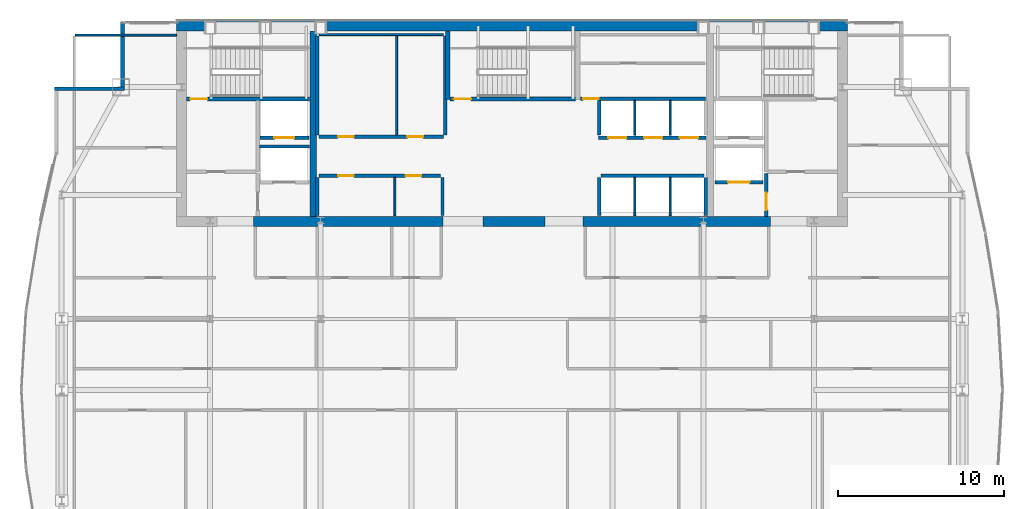
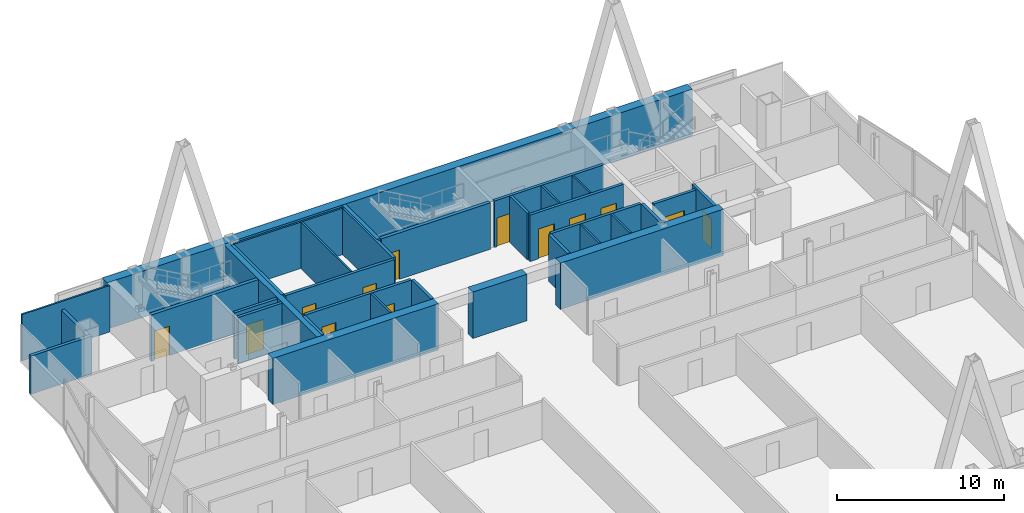
# One storey, part 28 of 31: 34 walls, 13 doors, 13 openings.
"""IFC4 building model written with IfcOpenShell, lengths in metres."""

import ifcopenshell
import ifcopenshell.guid

model = None  # the IFC model being written
_history = None  # IfcOwnerHistory: only IFC2X3 demands one
_inside = {}  # id of a spatial element -> (the spatial element, [elements in it])
_under = {}  # id of a project, library or spatial element -> (it, [spatial elements below it])
_declared = {}  # id of a project -> (the project, [libraries it declares])
_typed = {}  # id of a type object -> (the type object, [elements of that type])
_made_of = {}  # id of a material, layer set ... -> (it, [elements and type objects made of it])


def new_model(schema):
    """Start an empty IFC model of exactly this schema.

    Asked for "IFC4X3", IfcOpenShell would pick the latest addendum, in which some entities
    have other attributes; the version numbers below select the first issue.
    IFC2X3 requires an IfcOwnerHistory on every rooted entity: one is made here for all.
    """
    global model, _history
    if schema == "IFC4X3":
        model = ifcopenshell.file(schema_version=(4, 3, 0, 0))
    else:
        model = ifcopenshell.file(schema=schema)
    _inside.clear()
    _under.clear()
    _declared.clear()
    _typed.clear()
    _made_of.clear()
    _history = None
    if model.schema == "IFC2X3":
        org = make("IfcOrganization", Name="unknown")
        user = make(
            "IfcPersonAndOrganization",
            ThePerson=make("IfcPerson", FamilyName="unknown"),
            TheOrganization=org,
        )
        app = make(
            "IfcApplication",
            ApplicationDeveloper=org,
            Version="unknown",
            ApplicationFullName="unknown",
            ApplicationIdentifier="unknown",
        )
        _history = make(
            "IfcOwnerHistory",
            OwningUser=user,
            OwningApplication=app,
            ChangeAction="ADDED",
            CreationDate=0,
        )
    return model


def make(cls, **values):
    """One entity of the class cls with the attributes given. An attribute that is None is left unset."""
    return model.create_entity(
        cls, **{name: value for name, value in values.items() if value is not None}
    )


def rooted(cls, **values):
    """An entity with a GlobalId (a new one), such as an element, a storey or a relation."""
    return make(cls, GlobalId=ifcopenshell.guid.new(), OwnerHistory=_history, **values)


def si_unit(unit_type, name, prefix=None):
    """IfcSIUnit, for example si_unit("LENGTHUNIT", "METRE", prefix="MILLI")."""
    return make("IfcSIUnit", UnitType=unit_type, Prefix=prefix, Name=name)


def assignment(units):
    """IfcUnitAssignment: the units of a project."""
    return None if units is None else make("IfcUnitAssignment", Units=units)


def point(xyz):
    """IfcCartesianPoint."""
    return None if xyz is None else make("IfcCartesianPoint", Coordinates=xyz)


def direction(xyz):
    """IfcDirection."""
    return None if xyz is None else make("IfcDirection", DirectionRatios=xyz)


def frame(location, z_axis=None, x_axis=None):
    """IfcAxis2Placement3D, a coordinate frame: its origin and axes. An axis left out is left unset."""
    return make(
        "IfcAxis2Placement3D",
        Location=point(location),
        Axis=direction(z_axis),
        RefDirection=direction(x_axis),
    )


def frame_2d(location, x_axis=None):
    """IfcAxis2Placement2D, a coordinate frame in the plane: its origin and x axis."""
    return make(
        "IfcAxis2Placement2D", Location=point(location), RefDirection=direction(x_axis)
    )


def origin():
    """The frame at (0, 0, 0) with its axes left unset."""
    return frame((0.0, 0.0, 0.0))


def place(relative_to, where):
    """IfcLocalPlacement: puts the frame where relative to a parent placement (None: the world)."""
    return make(
        "IfcLocalPlacement", PlacementRelTo=relative_to, RelativePlacement=where
    )


def context(
    kind, dimensions, precision=None, world=None, true_north=None, identifier=None
):
    """IfcGeometricRepresentationContext, for example the 3D "Model" context."""
    return make(
        "IfcGeometricRepresentationContext",
        ContextIdentifier=identifier,
        ContextType=kind,
        CoordinateSpaceDimension=dimensions,
        Precision=precision,
        WorldCoordinateSystem=world,
        TrueNorth=true_north,
    )


def subcontext(parent, identifier, kind, view, scale=None):
    """IfcGeometricRepresentationSubContext, for example "Body" below "Model"."""
    return make(
        "IfcGeometricRepresentationSubContext",
        ContextIdentifier=identifier,
        ContextType=kind,
        ParentContext=parent,
        TargetScale=scale,
        TargetView=view,
    )


def project(units=None, contexts=None):
    """IfcProject with its units and contexts."""
    return rooted(
        "IfcProject",
        Name="project",
        RepresentationContexts=contexts,
        UnitsInContext=assignment(units),
    )


def spatial(cls, under=None, at=None, **own):
    """A site, building, storey or space (cls), placed at a placement, below another one or the project."""
    s = rooted(cls, ObjectPlacement=at, **own)
    if under is not None:
        _under.setdefault(under.id(), (under, []))[1].append(s)
    return s


def profile(cls, at=None, kind="AREA", **sizes):
    """A parametric profile (cls). Its sizes go by their IFC names, for example OverallWidth=200.0."""
    return make(cls, ProfileType=kind, Position=at, **sizes)


def rectangle(**sizes):
    """IfcRectangleProfileDef."""
    return profile("IfcRectangleProfileDef", **sizes)


def extrude(swept, where, along, depth):
    """IfcExtrudedAreaSolid: the profile swept, set in the frame where, extruded along a direction by depth."""
    return make(
        "IfcExtrudedAreaSolid",
        SweptArea=swept,
        Position=where,
        ExtrudedDirection=direction(along),
        Depth=depth,
    )


def shape(context_of_items, identifier, shape_type, items):
    """IfcShapeRepresentation: the items that make up one representation, for example the "Body"."""
    return make(
        "IfcShapeRepresentation",
        ContextOfItems=context_of_items,
        RepresentationIdentifier=identifier,
        RepresentationType=shape_type,
        Items=items,
    )


def material(Name=None, Category=None):
    """IfcMaterial."""
    return make("IfcMaterial", Name=Name, Category=Category)


def layer(
    of_material, thickness, ventilated=None, Name=None, Category=None, Priority=None
):
    """IfcMaterialLayer: one layer of a wall or slab, of a material (None: an air gap)."""
    return make(
        "IfcMaterialLayer",
        Material=of_material,
        LayerThickness=thickness,
        IsVentilated=ventilated,
        Name=Name,
        Category=Category,
        Priority=Priority,
    )


def layer_set(layers, Name=None):
    """IfcMaterialLayerSet."""
    return make("IfcMaterialLayerSet", MaterialLayers=layers, LayerSetName=Name)


def made_of(thing, what):
    """Note that an element or type object is made of a material, layer set ...; save() writes the relation."""
    if what is not None:
        _made_of.setdefault(what.id(), (what, []))[1].append(thing)
    return thing


def type_object(cls, material=None, **own):
    """A type object (cls), such as IfcWallType, which elements share."""
    return made_of(rooted(cls, **own), material)


def element(
    cls,
    number,
    at=None,
    inside=None,
    cuts=None,
    type_object=None,
    material=None,
    context=None,
    identifier="Body",
    shape_type=None,
    held_by="IfcProductDefinitionShape",
    body=None,
    shapes=None,
    **own,
):
    """One element of the class cls, such as IfcWall. Its Tag is "e" and its number.

    at: its placement. inside: the storey or other place that contains it. cuts: it is an
    opening in that element (IfcRelVoidsElement). A single representation is given by context,
    identifier, shape_type and body (its items); several are given by shapes. held_by: the class
    of the entity that holds the representations. save() writes the other relations.
    """
    e = rooted(cls, Tag="e%d" % number, ObjectPlacement=at, **own)
    if body is not None:
        shapes = [shape(context, identifier, shape_type, body)]
    if shapes is not None:
        e.Representation = make(held_by, Representations=shapes)
    if inside is not None:
        _inside.setdefault(inside.id(), (inside, []))[1].append(e)
    if cuts is not None:
        rooted(
            "IfcRelVoidsElement", RelatingBuildingElement=cuts, RelatedOpeningElement=e
        )
    if type_object is not None:
        _typed.setdefault(type_object.id(), (type_object, []))[1].append(e)
    return made_of(e, material)


def fill(opening, filler):
    """IfcRelFillsElement: the door or window that sits in an opening."""
    return rooted(
        "IfcRelFillsElement",
        RelatingOpeningElement=opening,
        RelatedBuildingElement=filler,
    )


def aggregate(whole, parts):
    """IfcRelAggregates: a whole, such as a stair, and the parts it consists of."""
    return rooted("IfcRelAggregates", RelatingObject=whole, RelatedObjects=parts)


def save(model, path):
    """Write the relations noted so far, then the file.

    IfcRelAggregates (storeys below a building ...), IfcRelContainedInSpatialStructure (elements
    in a storey), IfcRelDefinesByType, IfcRelAssociatesMaterial and IfcRelDeclares: one each for
    every whole, place, type object, material and project.
    """
    for whole, parts in _under.values():
        aggregate(whole, parts)
    for where, things in _inside.values():
        rooted(
            "IfcRelContainedInSpatialStructure",
            RelatedElements=things,
            RelatingStructure=where,
        )
    for kind, things in _typed.values():
        rooted("IfcRelDefinesByType", RelatedObjects=things, RelatingType=kind)
    for what, things in _made_of.values():
        rooted("IfcRelAssociatesMaterial", RelatedObjects=things, RelatingMaterial=what)
    for by, libraries in _declared.values():
        rooted("IfcRelDeclares", RelatingContext=by, RelatedDefinitions=libraries)
    model.write(path)


model = new_model("IFC4")

# Units and contexts
model_context = context("Model", 3, precision=1e-05, world=origin(), true_north=direction((0.0, 1.0)))
body_context = subcontext(model_context, "Body", "Model", "MODEL_VIEW")
ifc_project = project(units=[si_unit("LENGTHUNIT", "METRE"), si_unit("AREAUNIT", "SQUARE_METRE"), si_unit("VOLUMEUNIT", "CUBIC_METRE"), si_unit("PLANEANGLEUNIT", "RADIAN"), si_unit("MASSUNIT", "GRAM", prefix="KILO")], contexts=[model_context])

# Site, building, storey
site_placement = place(None, origin())
site = spatial("IfcSite", under=ifc_project, at=site_placement, CompositionType="ELEMENT")
building_placement = place(site_placement, origin())
building = spatial("IfcBuilding", under=site, at=building_placement, Name="Khoronbel Lancet Exchange", CompositionType="ELEMENT")
storey_placement = place(building_placement, frame((0.0, 0.0, 261.800048828125)))
storey = spatial("IfcBuildingStorey", under=building, at=storey_placement, Name="L67", CompositionType="ELEMENT", Elevation=261.800048828125)

# Walls
ifc_material_1 = material(Name="Concrete C60/75", Category="concrete")
ifc_layer_1 = layer(ifc_material_1, 0.60009765625, Name="Concrete C60/75")
ifc_layer_set_1 = layer_set([ifc_layer_1], Name="Concrete C60/75")
wall_type_1 = type_object("IfcWallType", Name="WL-CW3", PredefinedType="SHEAR", material=ifc_layer_set_1)
wall_1_placement = place(storey_placement, frame((16.199951171875, 53.39990234375, 0.0), z_axis=(0.0, 0.0, 1.0), x_axis=(1.0, 0.0, 0.0)))
element("IfcWall", 1, at=wall_1_placement, inside=storey, type_object=wall_type_1, Name="Level L67 rear core north shear wall", PredefinedType="SHEAR", context=body_context, shape_type="SweptSolid", body=[
    extrude(rectangle(XDim=40.5, YDim=0.60009765625, at=frame_2d((20.25, 0.0))), origin(), (0.0, 0.0, 1.0), 3.39990234375),
])
wall_2_placement = place(storey_placement, frame((32.300048828125, 41.60009765625, 0.0), z_axis=(0.0, 0.0, 1.0), x_axis=(-1.0, 0.0, 0.0)))
element("IfcWall", 2, at=wall_2_placement, inside=storey, type_object=wall_type_1, Name="Level L67 rear core south shear wall pier P2", PredefinedType="SHEAR", context=body_context, shape_type="SweptSolid", body=[
    extrude(rectangle(XDim=11.449951171875, YDim=0.60009765625, at=frame_2d((5.72509765625, 0.0))), origin(), (0.0, 0.0, 1.0), 3.39990234375),
])
wall_3_placement = place(storey_placement, frame((38.449951171875, 41.60009765625, 0.0), z_axis=(0.0, 0.0, 1.0), x_axis=(-1.0, 0.0, 0.0)))
element("IfcWall", 3, at=wall_3_placement, inside=storey, type_object=wall_type_1, Name="Level L67 rear core south shear wall pier P3", PredefinedType="SHEAR", context=body_context, shape_type="SweptSolid", body=[
    extrude(rectangle(XDim=3.75, YDim=0.60009765625, at=frame_2d((1.875, 0.0))), origin(), (0.0, 0.0, 1.0), 3.39990234375),
])
wall_4_placement = place(storey_placement, frame((52.050048828125, 41.60009765625, 0.0), z_axis=(0.0, 0.0, 1.0), x_axis=(-1.0, 0.0, 0.0)))
element("IfcWall", 4, at=wall_4_placement, inside=storey, type_object=wall_type_1, Name="Level L67 rear core south shear wall pier P4", PredefinedType="SHEAR", context=body_context, shape_type="SweptSolid", body=[
    extrude(rectangle(XDim=11.300048828125, YDim=0.60009765625, at=frame_2d((5.64990234375, 0.0))), origin(), (0.0, 0.0, 1.0), 3.39990234375),
])
ifc_material_2 = material(Name="Precast concrete C40/50", Category="concrete")
ifc_layer_2 = layer(ifc_material_2, 0.25, Name="Precast concrete C40/50")
ifc_layer_set_2 = layer_set([ifc_layer_2], Name="Precast concrete C40/50")
wall_type_2 = type_object("IfcWallType", Name="WL-EXT250", PredefinedType="SOLIDWALL", material=ifc_layer_set_2)
wall_5_placement = place(storey_placement, frame((8.830078125, 49.610107421875, 0.0), z_axis=(0.0, 0.0, 1.0), x_axis=(1.0, 0.0, 0.0)))
element("IfcWall", 5, at=wall_5_placement, inside=storey, type_object=wall_type_2, Name="Level L67 notched-corner limestone pier 11", PredefinedType="SOLIDWALL", context=body_context, shape_type="SweptSolid", body=[
    extrude(rectangle(XDim=4.219970703125, YDim=0.219970703125, at=frame_2d((2.10986328125, 0.0))), origin(), (0.0, 0.0, 1.0), 2.7900390625),
])
wall_6_placement = place(storey_placement, frame((12.93994140625, 49.719970703125, 0.0), z_axis=(0.0, 0.0, 1.0), x_axis=(0.0, 1.0, 0.0)))
element("IfcWall", 6, at=wall_6_placement, inside=storey, type_object=wall_type_2, Name="Level L67 notched-corner limestone pier 12", PredefinedType="SOLIDWALL", context=body_context, shape_type="SweptSolid", body=[
    extrude(rectangle(XDim=3.909912109375, YDim=0.219970703125, at=frame_2d((1.955078125, 0.0))), origin(), (0.0, 0.0, 1.0), 2.7900390625),
])
ifc_material_3 = material(Name="Acoustic Metal-Stud & Mineral-Wool Gypsum Partition 120 mm", Category="gypsum")
ifc_layer_3 = layer(ifc_material_3, 0.1201171875, Name="Acoustic Metal-Stud & Mineral-Wool Gypsum Partition 120 mm")
ifc_layer_set_3 = layer_set([ifc_layer_3], Name="Acoustic Metal-Stud & Mineral-Wool Gypsum Partition 120 mm")
wall_type_3 = type_object("IfcWallType", Name="WL-PRT120", PredefinedType="PARTITIONING", material=ifc_layer_set_3)
wall_7_placement = place(storey_placement, frame((10.094970703125, 52.840087890625, 0.0), z_axis=(0.0, 0.0, 1.0), x_axis=(1.0, 0.0, 0.0)))
element("IfcWall", 7, at=wall_7_placement, inside=storey, type_object=wall_type_3, Name="Level L67 interior partition PW-LIN-NW", PredefinedType="PARTITIONING", context=body_context, shape_type="SweptSolid", body=[
    extrude(rectangle(XDim=6.10498046875, YDim=0.1201171875, at=frame_2d((3.052490234375, 0.0))), origin(), (0.0, 0.0, 1.0), 3.39990234375),
])
ifc_material_4 = material(Name="Fire-Rated Metal-Stud & Mineral-Wool Gypsum Partition 120 mm", Category="gypsum")
ifc_layer_4 = layer(ifc_material_4, 0.1201171875, Name="Fire-Rated Metal-Stud & Mineral-Wool Gypsum Partition 120 mm")
ifc_layer_set_4 = layer_set([ifc_layer_4], Name="Fire-Rated Metal-Stud & Mineral-Wool Gypsum Partition 120 mm")
wall_type_4 = type_object("IfcWallType", Name="WL-PRT120F", PredefinedType="PARTITIONING", material=ifc_layer_set_4)
wall_8_placement = place(storey_placement, frame((24.804931640625, 52.860107421875, 0.0), z_axis=(0.0, 0.0, 1.0), x_axis=(1.0, 0.0, 0.0)))
element("IfcWall", 8, at=wall_8_placement, inside=storey, type_object=wall_type_4, Name="Level L67 interior partition CW-PL-RN", PredefinedType="PARTITIONING", context=body_context, shape_type="SweptSolid", body=[
    extrude(rectangle(XDim=7.510009765625, YDim=0.1201171875, at=frame_2d((3.7548828125, 0.0))), origin(), (0.0, 0.0, 1.0), 3.39990234375),
])
wall_9_placement = place(storey_placement, frame((29.486328125, 46.804931640625, 0.0), z_axis=(0.0, 0.0, 1.0), x_axis=(0.0, 1.0, 0.0)))
element("IfcWall", 9, at=wall_9_placement, inside=storey, type_object=wall_type_4, Name="Level L67 interior partition CW-PL-RS2", PredefinedType="PARTITIONING", context=body_context, shape_type="SweptSolid", body=[
    extrude(rectangle(XDim=5.989990234375, YDim=0.1201171875, at=frame_2d((2.9951171875, 0.0))), origin(), (0.0, 0.0, 1.0), 3.39990234375),
])
wall_10_placement = place(storey_placement, frame((29.381103515625, 41.949951171875, 0.0), z_axis=(0.0, 0.0, 1.0), x_axis=(0.0, 1.0, 0.0)))
element("IfcWall", 10, at=wall_10_placement, inside=storey, type_object=wall_type_4, Name="Level L67 interior partition CW-PM-RS2", PredefinedType="PARTITIONING", context=body_context, shape_type="SweptSolid", body=[
    extrude(rectangle(XDim=2.295166015625, YDim=0.1201171875, at=frame_2d((1.1474609375, 0.0))), origin(), (0.0, 0.0, 1.0), 3.39990234375),
])
for number, where, z_axis, x_axis, name in (
    (11, (43.860107421875, 46.800048828125, 0.0), (0.0, 0.0, 1.0), (0.0, 1.0, 0.0), "Level L67 interior partition CW-PH-D1"),
    (12, (46.0, 46.800048828125, 0.0), (0.0, 0.0, 1.0), (0.0, 1.0, 0.0), "Level L67 interior partition CW-PH-D2"),
):
    element("IfcWall", number, at=place(storey_placement, frame(where, z_axis=z_axis, x_axis=x_axis)), inside=storey, type_object=wall_type_4, Name=name, PredefinedType="PARTITIONING", context=body_context, shape_type="SweptSolid", body=[
        extrude(rectangle(XDim=2.094970703125, YDim=0.1201171875, at=frame_2d((1.04736328125, 0.0))), origin(), (0.0, 0.0, 1.0), 3.39990234375),
    ])
for number, where, z_axis, x_axis, name in (
    (13, (43.860107421875, 41.949951171875, 0.0), (0.0, 0.0, 1.0), (0.0, 1.0, 0.0), "Level L67 interior partition CW-PX-D1"),
    (14, (46.0, 41.949951171875, 0.0), (0.0, 0.0, 1.0), (0.0, 1.0, 0.0), "Level L67 interior partition CW-PX-D2"),
):
    element("IfcWall", number, at=place(storey_placement, frame(where, z_axis=z_axis, x_axis=x_axis)), inside=storey, type_object=wall_type_4, Name=name, PredefinedType="PARTITIONING", context=body_context, shape_type="SweptSolid", body=[
        extrude(rectangle(XDim=2.295166015625, YDim=0.1201171875, at=frame_2d((1.1474609375, 0.0))), origin(), (0.0, 0.0, 1.0), 3.39990234375),
    ])

# Wall, opening, door
ifc_material_5 = material(Name="Autoclaved Aerated Concrete Blockwork 200 mm", Category="masonry")
ifc_layer_5 = layer(ifc_material_5, 0.199951171875, Name="Autoclaved Aerated Concrete Blockwork 200 mm")
ifc_layer_set_5 = layer_set([ifc_layer_5], Name="Autoclaved Aerated Concrete Blockwork 200 mm")
wall_type_5 = type_object("IfcWallType", Name="WL-PRT200", PredefinedType="PARTITIONING", material=ifc_layer_set_5)
wall_11_placement = place(storey_placement, frame((51.610107421875, 43.949951171875, 0.0), z_axis=(0.0, 0.0, 1.0), x_axis=(-1.0, 0.0, 0.0)))
wall_11 = element("IfcWall", 15, at=wall_11_placement, inside=storey, type_object=wall_type_5, Name="Level L67 elevator hoistway landing front wall SVLE", PredefinedType="PARTITIONING", context=body_context, shape_type="SweptSolid", body=[
    extrude(rectangle(XDim=2.920166015625, YDim=0.199951171875, at=frame_2d((1.4599609375, 0.0))), origin(), (0.0, 0.0, 1.0), 3.39990234375),
])
opening_1_placement = place(wall_11_placement, frame((0.81005859375, 0.0, 0.0)))
opening_1 = element("IfcOpeningElement", 16, at=opening_1_placement, cuts=wall_11, Name="Opening LD-SVL2", PredefinedType="OPENING", context=body_context, shape_type="SweptSolid", body=[
    extrude(rectangle(XDim=1.300048828125, YDim=2.179931640625, at=frame_2d((0.64990234375, 1.08984375))), frame((0.0, 0.10986328125, 0.0), z_axis=(0.0, -1.0, 0.0), x_axis=(1.0, 0.0, 0.0)), (0.0, 0.0, 1.0), 0.219970703125),
])
ifc_material_6 = material(Name="Heavy-Duty Bi-Parting Goods Lift Landing Door", Category="steel")
door_type_1 = type_object("IfcDoorType", Name="DR-LD-SVL", OperationType="NOTDEFINED", PredefinedType="DOOR", material=ifc_material_6)
door_1_placement = place(opening_1_placement, origin())
door_1 = element("IfcDoor", 17, at=door_1_placement, inside=storey, type_object=door_type_1, Name="Elevator landing sliding door LD-SVL2 L67", OperationType="SLIDING_TO_LEFT", OverallHeight=2.179931640625, OverallWidth=1.300048828125, PredefinedType="DOOR", context=body_context, shape_type="SweptSolid", body=[
    extrude(rectangle(XDim=1.300048828125, YDim=2.179931640625, at=frame_2d((0.64990234375, 1.08984375))), frame((0.0, 0.02490234375, 0.0), z_axis=(0.0, -1.0, 0.0), x_axis=(1.0, 0.0, 0.0)), (0.0, 0.0, 1.0), 0.050048828125),
])
fill(opening_1, door_1)

wall_12_placement = place(storey_placement, frame((24.2099609375, 46.64990234375, 0.0), z_axis=(0.0, 0.0, 1.0), x_axis=(-1.0, 0.0, 0.0)))
wall_12 = element("IfcWall", 18, at=wall_12_placement, inside=storey, type_object=wall_type_5, Name="Level L67 elevator hoistway landing front wall FFLW", PredefinedType="PARTITIONING", context=body_context, shape_type="SweptSolid", body=[
    extrude(rectangle(XDim=2.969970703125, YDim=0.199951171875, at=frame_2d((1.48486328125, 0.0))), origin(), (0.0, 0.0, 1.0), 3.39990234375),
])
opening_2_placement = place(wall_12_placement, frame((0.909912109375, 0.0, 0.0)))
opening_2 = element("IfcOpeningElement", 19, at=opening_2_placement, cuts=wall_12, Name="Opening LD-FFL1", PredefinedType="OPENING", context=body_context, shape_type="SweptSolid", body=[
    extrude(rectangle(XDim=1.199951171875, YDim=2.179931640625, at=frame_2d((0.60009765625, 1.08984375))), frame((0.0, 0.10986328125, 0.0), z_axis=(0.0, -1.0, 0.0), x_axis=(1.0, 0.0, 0.0)), (0.0, 0.0, 1.0), 0.219970703125),
])
ifc_material_7 = material(Name="Fire-Rated Stainless Bi-Parting Firefighting Lift Door", Category="steel")
door_type_2 = type_object("IfcDoorType", Name="DR-LD-FFL", OperationType="NOTDEFINED", PredefinedType="DOOR", material=ifc_material_7)
door_2_placement = place(opening_2_placement, origin())
door_2 = element("IfcDoor", 20, at=door_2_placement, inside=storey, type_object=door_type_2, Name="Elevator landing sliding door LD-FFL1 L67", OperationType="SLIDING_TO_LEFT", OverallHeight=2.179931640625, OverallWidth=1.199951171875, PredefinedType="DOOR", context=body_context, shape_type="SweptSolid", body=[
    extrude(rectangle(XDim=1.199951171875, YDim=2.179931640625, at=frame_2d((0.60009765625, 1.08984375))), frame((0.0, 0.02490234375, 0.0), z_axis=(0.0, -1.0, 0.0), x_axis=(1.0, 0.0, 0.0)), (0.0, 0.0, 1.0), 0.050048828125),
])
fill(opening_2, door_2)

# Wall, openings, doors
wall_13_placement = place(storey_placement, frame((48.159912109375, 46.64990234375, 0.0), z_axis=(0.0, 0.0, 1.0), x_axis=(-1.0, 0.0, 0.0)))
wall_13 = element("IfcWall", 21, at=wall_13_placement, inside=storey, type_object=wall_type_5, Name="Level L67 elevator hoistway landing front wall PHE", PredefinedType="PARTITIONING", context=body_context, shape_type="SweptSolid", body=[
    extrude(rectangle(XDim=6.47998046875, YDim=0.199951171875, at=frame_2d((3.239990234375, 0.0))), origin(), (0.0, 0.0, 1.0), 3.39990234375),
])
opening_3_placement = place(wall_13_placement, frame((4.800048828125, 0.0, 0.0)))
opening_3 = element("IfcOpeningElement", 22, at=opening_3_placement, cuts=wall_13, Name="Opening LD-PH1", PredefinedType="OPENING", context=body_context, shape_type="SweptSolid", body=[
    extrude(rectangle(XDim=1.10009765625, YDim=2.179931640625, at=frame_2d((0.550048828125, 1.08984375))), frame((0.0, 0.10986328125, 0.0), z_axis=(0.0, -1.0, 0.0), x_axis=(1.0, 0.0, 0.0)), (0.0, 0.0, 1.0), 0.219970703125),
])
opening_4_placement = place(wall_13_placement, frame((2.639892578125, 0.0, 0.0)))
opening_4 = element("IfcOpeningElement", 23, at=opening_4_placement, cuts=wall_13, Name="Opening LD-PH2", PredefinedType="OPENING", context=body_context, shape_type="SweptSolid", body=[
    extrude(rectangle(XDim=1.10009765625, YDim=2.179931640625, at=frame_2d((0.550048828125, 1.08984375))), frame((0.0, 0.10986328125, 0.0), z_axis=(0.0, -1.0, 0.0), x_axis=(1.0, 0.0, 0.0)), (0.0, 0.0, 1.0), 0.219970703125),
])
opening_5_placement = place(wall_13_placement, frame((0.47998046875, 0.0, 0.0)))
opening_5 = element("IfcOpeningElement", 24, at=opening_5_placement, cuts=wall_13, Name="Opening LD-PH3", PredefinedType="OPENING", context=body_context, shape_type="SweptSolid", body=[
    extrude(rectangle(XDim=1.10009765625, YDim=2.179931640625, at=frame_2d((0.550048828125, 1.08984375))), frame((0.0, 0.10986328125, 0.0), z_axis=(0.0, -1.0, 0.0), x_axis=(1.0, 0.0, 0.0)), (0.0, 0.0, 1.0), 0.219970703125),
])
ifc_material_8 = material(Name="Brushed Bronze Bi-Parting Elevator Landing Door", Category="steel")
door_type_3 = type_object("IfcDoorType", Name="DR-LD-PAX", OperationType="NOTDEFINED", PredefinedType="DOOR", material=ifc_material_8)
door_3_placement = place(opening_3_placement, origin())
door_3 = element("IfcDoor", 25, at=door_3_placement, inside=storey, type_object=door_type_3, Name="Elevator landing sliding door LD-PH1 L67", OperationType="SLIDING_TO_LEFT", OverallHeight=2.179931640625, OverallWidth=1.10009765625, PredefinedType="DOOR", context=body_context, shape_type="SweptSolid", body=[
    extrude(rectangle(XDim=1.10009765625, YDim=2.179931640625, at=frame_2d((0.550048828125, 1.08984375))), frame((0.0, 0.02490234375, 0.0), z_axis=(0.0, -1.0, 0.0), x_axis=(1.0, 0.0, 0.0)), (0.0, 0.0, 1.0), 0.050048828125),
])
fill(opening_3, door_3)
door_4_placement = place(opening_4_placement, origin())
door_4 = element("IfcDoor", 26, at=door_4_placement, inside=storey, type_object=door_type_3, Name="Elevator landing sliding door LD-PH2 L67", OperationType="SLIDING_TO_LEFT", OverallHeight=2.179931640625, OverallWidth=1.10009765625, PredefinedType="DOOR", context=body_context, shape_type="SweptSolid", body=[
    extrude(rectangle(XDim=1.10009765625, YDim=2.179931640625, at=frame_2d((0.550048828125, 1.08984375))), frame((0.0, 0.02490234375, 0.0), z_axis=(0.0, -1.0, 0.0), x_axis=(1.0, 0.0, 0.0)), (0.0, 0.0, 1.0), 0.050048828125),
])
fill(opening_4, door_4)
door_5_placement = place(opening_5_placement, origin())
door_5 = element("IfcDoor", 27, at=door_5_placement, inside=storey, type_object=door_type_3, Name="Elevator landing sliding door LD-PH3 L67", OperationType="SLIDING_TO_LEFT", OverallHeight=2.179931640625, OverallWidth=1.10009765625, PredefinedType="DOOR", context=body_context, shape_type="SweptSolid", body=[
    extrude(rectangle(XDim=1.10009765625, YDim=2.179931640625, at=frame_2d((0.550048828125, 1.08984375))), frame((0.0, 0.02490234375, 0.0), z_axis=(0.0, -1.0, 0.0), x_axis=(1.0, 0.0, 0.0)), (0.0, 0.0, 1.0), 0.050048828125),
])
fill(opening_5, door_5)

# Wall
wall_14_placement = place(storey_placement, frame((21.199951171875, 46.1201171875, 0.0), z_axis=(0.0, 0.0, 1.0), x_axis=(1.0, 0.0, 0.0)))
element("IfcWall", 28, at=wall_14_placement, inside=storey, type_object=wall_type_5, Name="Level L67 interior partition CW-FFL1-S", PredefinedType="PARTITIONING", context=body_context, shape_type="SweptSolid", body=[
    extrude(rectangle(XDim=3.02001953125, YDim=0.199951171875, at=frame_2d((1.510009765625, 0.0))), origin(), (0.0, 0.0, 1.0), 3.39990234375),
])

# Wall, opening, door
wall_15_placement = place(storey_placement, frame((51.800048828125, 41.89990234375, 0.0), z_axis=(0.0, 0.0, 1.0), x_axis=(0.0, 1.0, 0.0)))
wall_15 = element("IfcWall", 29, at=wall_15_placement, inside=storey, type_object=wall_type_5, Name="Level L67 interior partition CW-SVLE-E", PredefinedType="PARTITIONING", context=body_context, shape_type="SweptSolid", body=[
    extrude(rectangle(XDim=2.59521484375, YDim=0.199951171875, at=frame_2d((1.297607421875, 0.0))), origin(), (0.0, 0.0, 1.0), 3.39990234375),
])
opening_6_placement = place(wall_15_placement, frame((0.3798828125, 0.0, 0.0)))
opening_6 = element("IfcOpeningElement", 30, at=opening_6_placement, cuts=wall_15, Name="Opening FD1", PredefinedType="OPENING", context=body_context, shape_type="SweptSolid", body=[
    extrude(rectangle(XDim=1.050048828125, YDim=2.14990234375, at=frame_2d((0.52490234375, 1.074951171875))), frame((0.0, 0.10986328125, 0.0), z_axis=(0.0, -1.0, 0.0), x_axis=(1.0, 0.0, 0.0)), (0.0, 0.0, 1.0), 0.219970703125),
])
ifc_material_9 = material(Name="Fire-Rated Painted Steel Door Assembly", Category="steel")
door_type_4 = type_object("IfcDoorType", Name="DR-FD1", OperationType="NOTDEFINED", PredefinedType="DOOR", material=ifc_material_9)
door_6_placement = place(opening_6_placement, origin())
door_6 = element("IfcDoor", 31, at=door_6_placement, inside=storey, type_object=door_type_4, Name="East service lift lobby door L67-1", OperationType="SINGLE_SWING_LEFT", OverallHeight=2.14990234375, OverallWidth=1.050048828125, PredefinedType="DOOR", context=body_context, shape_type="SweptSolid", body=[
    extrude(rectangle(XDim=1.050048828125, YDim=2.14990234375, at=frame_2d((0.52490234375, 1.074951171875))), frame((0.0, 0.02490234375, 0.0), z_axis=(0.0, -1.0, 0.0), x_axis=(1.0, 0.0, 0.0)), (0.0, 0.0, 1.0), 0.050048828125),
])
fill(opening_6, door_6)

# Walls
for number, where, z_axis, x_axis, name in (
    (32, (24.699951171875, 46.804931640625, 0.0), (0.0, 0.0, 1.0), (0.0, 1.0, 0.0), "Level L67 interior partition CW-PL-RW"),
    (33, (32.419921875, 46.804931640625, 0.0), (0.0, 0.0, 1.0), (0.0, 1.0, 0.0), "Level L67 interior partition CW-PL-RE"),
):
    element("IfcWall", number, at=place(storey_placement, frame(where, z_axis=z_axis, x_axis=x_axis)), inside=storey, type_object=wall_type_5, Name=name, PredefinedType="PARTITIONING", context=body_context, shape_type="SweptSolid", body=[
        extrude(rectangle(XDim=5.989990234375, YDim=0.199951171875, at=frame_2d((2.9951171875, 0.0))), origin(), (0.0, 0.0, 1.0), 3.39990234375),
    ])

# Wall, openings, doors
wall_16_placement = place(storey_placement, frame((24.804931640625, 46.699951171875, 0.0), z_axis=(0.0, 0.0, 1.0), x_axis=(1.0, 0.0, 0.0)))
wall_16 = element("IfcWall", 34, at=wall_16_placement, inside=storey, type_object=wall_type_5, Name="Level L67 interior partition CW-PL-RF", PredefinedType="PARTITIONING", context=body_context, shape_type="SweptSolid", body=[
    extrude(rectangle(XDim=7.510009765625, YDim=0.199951171875, at=frame_2d((3.7548828125, 0.0))), origin(), (0.0, 0.0, 1.0), 3.39990234375),
])
opening_7_placement = place(wall_16_placement, frame((1.14990234375, 0.0, 0.0)))
opening_7 = element("IfcOpeningElement", 35, at=opening_7_placement, cuts=wall_16, Name="Opening FD3", PredefinedType="OPENING", context=body_context, shape_type="SweptSolid", body=[
    extrude(rectangle(XDim=0.949951171875, YDim=2.10009765625, at=frame_2d((0.47509765625, 1.050048828125))), frame((0.0, 0.10986328125, 0.0), z_axis=(0.0, -1.0, 0.0), x_axis=(1.0, 0.0, 0.0)), (0.0, 0.0, 1.0), 0.219970703125),
])
opening_8_placement = place(wall_16_placement, frame((5.33642578125, 0.0, 0.0)))
opening_8 = element("IfcOpeningElement", 36, at=opening_8_placement, cuts=wall_16, Name="Opening FD3", PredefinedType="OPENING", context=body_context, shape_type="SweptSolid", body=[
    extrude(rectangle(XDim=0.949951171875, YDim=2.10009765625, at=frame_2d((0.47509765625, 1.050048828125))), frame((0.0, 0.10986328125, 0.0), z_axis=(0.0, -1.0, 0.0), x_axis=(1.0, 0.0, 0.0)), (0.0, 0.0, 1.0), 0.219970703125),
])
ifc_material_10 = material(Name="Fire-Rated Steel Plant & Riser Door Assembly", Category="steel")
door_type_5 = type_object("IfcDoorType", Name="DR-FD3", OperationType="NOTDEFINED", PredefinedType="DOOR", material=ifc_material_10)
door_7_placement = place(opening_7_placement, origin())
door_7 = element("IfcDoor", 37, at=door_7_placement, inside=storey, type_object=door_type_5, Name="Reclaimed PL C door L67-1", OperationType="SINGLE_SWING_RIGHT", OverallHeight=2.10009765625, OverallWidth=0.949951171875, PredefinedType="DOOR", context=body_context, shape_type="SweptSolid", body=[
    extrude(rectangle(XDim=0.949951171875, YDim=2.10009765625, at=frame_2d((0.47509765625, 1.050048828125))), frame((0.0, 0.02490234375, 0.0), z_axis=(0.0, -1.0, 0.0), x_axis=(1.0, 0.0, 0.0)), (0.0, 0.0, 1.0), 0.050048828125),
])
fill(opening_7, door_7)
door_8_placement = place(opening_8_placement, origin())
door_8 = element("IfcDoor", 38, at=door_8_placement, inside=storey, type_object=door_type_5, Name="Reclaimed PL D door L67-2", OperationType="SINGLE_SWING_LEFT", OverallHeight=2.10009765625, OverallWidth=0.949951171875, PredefinedType="DOOR", context=body_context, shape_type="SweptSolid", body=[
    extrude(rectangle(XDim=0.949951171875, YDim=2.10009765625, at=frame_2d((0.47509765625, 1.050048828125))), frame((0.0, 0.02490234375, 0.0), z_axis=(0.0, -1.0, 0.0), x_axis=(1.0, 0.0, 0.0)), (0.0, 0.0, 1.0), 0.050048828125),
])
fill(opening_8, door_8)

# Walls
for number, where, z_axis, x_axis, name in (
    (39, (24.699951171875, 41.949951171875, 0.0), (0.0, 0.0, 1.0), (0.0, 1.0, 0.0), "Level L67 interior partition CW-PM-RW"),
    (40, (32.25, 41.949951171875, 0.0), (0.0, 0.0, 1.0), (0.0, 1.0, 0.0), "Level L67 interior partition CW-PM-RE"),
):
    element("IfcWall", number, at=place(storey_placement, frame(where, z_axis=z_axis, x_axis=x_axis)), inside=storey, type_object=wall_type_5, Name=name, PredefinedType="PARTITIONING", context=body_context, shape_type="SweptSolid", body=[
        extrude(rectangle(XDim=2.295166015625, YDim=0.199951171875, at=frame_2d((1.1474609375, 0.0))), origin(), (0.0, 0.0, 1.0), 3.39990234375),
    ])

# Wall, openings, doors
wall_17_placement = place(storey_placement, frame((24.804931640625, 44.35009765625, 0.0), z_axis=(0.0, 0.0, 1.0), x_axis=(1.0, 0.0, 0.0)))
wall_17 = element("IfcWall", 41, at=wall_17_placement, inside=storey, type_object=wall_type_5, Name="Level L67 interior partition CW-PM-RF", PredefinedType="PARTITIONING", context=body_context, shape_type="SweptSolid", body=[
    extrude(rectangle(XDim=7.340087890625, YDim=0.199951171875, at=frame_2d((3.669921875, 0.0))), origin(), (0.0, 0.0, 1.0), 3.39990234375),
])
opening_9_placement = place(wall_17_placement, frame((1.14990234375, 0.0, 0.0)))
opening_9 = element("IfcOpeningElement", 42, at=opening_9_placement, cuts=wall_17, Name="Opening FD3", PredefinedType="OPENING", context=body_context, shape_type="SweptSolid", body=[
    extrude(rectangle(XDim=0.949951171875, YDim=2.10009765625, at=frame_2d((0.47509765625, 1.050048828125))), frame((0.0, 0.10986328125, 0.0), z_axis=(0.0, -1.0, 0.0), x_axis=(1.0, 0.0, 0.0)), (0.0, 0.0, 1.0), 0.219970703125),
])
opening_10_placement = place(wall_17_placement, frame((5.23095703125, 0.0, 0.0)))
opening_10 = element("IfcOpeningElement", 43, at=opening_10_placement, cuts=wall_17, Name="Opening FD3", PredefinedType="OPENING", context=body_context, shape_type="SweptSolid", body=[
    extrude(rectangle(XDim=0.949951171875, YDim=2.10009765625, at=frame_2d((0.47509765625, 1.050048828125))), frame((0.0, 0.10986328125, 0.0), z_axis=(0.0, -1.0, 0.0), x_axis=(1.0, 0.0, 0.0)), (0.0, 0.0, 1.0), 0.219970703125),
])
door_9_placement = place(opening_9_placement, origin())
door_9 = element("IfcDoor", 44, at=door_9_placement, inside=storey, type_object=door_type_5, Name="Reclaimed PM C door L67-1", OperationType="SINGLE_SWING_RIGHT", OverallHeight=2.10009765625, OverallWidth=0.949951171875, PredefinedType="DOOR", context=body_context, shape_type="SweptSolid", body=[
    extrude(rectangle(XDim=0.949951171875, YDim=2.10009765625, at=frame_2d((0.47509765625, 1.050048828125))), frame((0.0, 0.02490234375, 0.0), z_axis=(0.0, -1.0, 0.0), x_axis=(1.0, 0.0, 0.0)), (0.0, 0.0, 1.0), 0.050048828125),
])
fill(opening_9, door_9)
door_10_placement = place(opening_10_placement, origin())
door_10 = element("IfcDoor", 45, at=door_10_placement, inside=storey, type_object=door_type_5, Name="Reclaimed PM D door L67-2", OperationType="SINGLE_SWING_LEFT", OverallHeight=2.10009765625, OverallWidth=0.949951171875, PredefinedType="DOOR", context=body_context, shape_type="SweptSolid", body=[
    extrude(rectangle(XDim=0.949951171875, YDim=2.10009765625, at=frame_2d((0.47509765625, 1.050048828125))), frame((0.0, 0.02490234375, 0.0), z_axis=(0.0, -1.0, 0.0), x_axis=(1.0, 0.0, 0.0)), (0.0, 0.0, 1.0), 0.050048828125),
])
fill(opening_10, door_10)

# Walls
wall_18_placement = place(storey_placement, frame((41.719970703125, 46.800048828125, 0.0), z_axis=(0.0, 0.0, 1.0), x_axis=(0.0, 1.0, 0.0)))
element("IfcWall", 46, at=wall_18_placement, inside=storey, type_object=wall_type_5, Name="Level L67 interior partition CW-PH-W", PredefinedType="PARTITIONING", context=body_context, shape_type="SweptSolid", body=[
    extrude(rectangle(XDim=2.094970703125, YDim=0.199951171875, at=frame_2d((1.04736328125, 0.0))), origin(), (0.0, 0.0, 1.0), 3.39990234375),
])
wall_19_placement = place(storey_placement, frame((41.824951171875, 44.35009765625, 0.0), z_axis=(0.0, 0.0, 1.0), x_axis=(1.0, 0.0, 0.0)))
element("IfcWall", 47, at=wall_19_placement, inside=storey, type_object=wall_type_5, Name="Level L67 interior partition CW-PX-EXP", PredefinedType="PARTITIONING", context=body_context, shape_type="SweptSolid", body=[
    extrude(rectangle(XDim=6.2099609375, YDim=0.199951171875, at=frame_2d((3.10498046875, 0.0))), origin(), (0.0, 0.0, 1.0), 3.39990234375),
])
for number, where, z_axis, x_axis, name in (
    (48, (41.719970703125, 41.949951171875, 0.0), (0.0, 0.0, 1.0), (0.0, 1.0, 0.0), "Level L67 interior partition CW-PX-W"),
    (49, (48.139892578125, 41.949951171875, 0.0), (0.0, 0.0, 1.0), (0.0, 1.0, 0.0), "Level L67 interior partition CW-PX-E"),
):
    element("IfcWall", number, at=place(storey_placement, frame(where, z_axis=z_axis, x_axis=x_axis)), inside=storey, type_object=wall_type_5, Name=name, PredefinedType="PARTITIONING", context=body_context, shape_type="SweptSolid", body=[
        extrude(rectangle(XDim=2.295166015625, YDim=0.199951171875, at=frame_2d((1.1474609375, 0.0))), origin(), (0.0, 0.0, 1.0), 3.39990234375),
    ])

# Wall, opening, door
wall_20_placement = place(storey_placement, frame((40.580078125, 49.0, 0.0), z_axis=(0.0, 0.0, 1.0), x_axis=(1.0, 0.0, 0.0)))
wall_20 = element("IfcWall", 50, at=wall_20_placement, inside=storey, type_object=wall_type_5, Name="Level L67 interior partition CW-SUP-NE-S", PredefinedType="PARTITIONING", context=body_context, shape_type="SweptSolid", body=[
    extrude(rectangle(XDim=7.559814453125, YDim=0.199951171875, at=frame_2d((3.77978515625, 0.0))), origin(), (0.0, 0.0, 1.0), 3.39990234375),
])
opening_11_placement = place(wall_20_placement, frame((0.159912109375, 0.0, 0.0)))
opening_11 = element("IfcOpeningElement", 51, at=opening_11_placement, cuts=wall_20, Name="Opening FD3", PredefinedType="OPENING", context=body_context, shape_type="SweptSolid", body=[
    extrude(rectangle(XDim=0.949951171875, YDim=2.10009765625, at=frame_2d((0.47509765625, 1.050048828125))), frame((0.0, 0.10986328125, 0.0), z_axis=(0.0, -1.0, 0.0), x_axis=(1.0, 0.0, 0.0)), (0.0, 0.0, 1.0), 0.219970703125),
])
door_11_placement = place(opening_11_placement, origin())
door_11 = element("IfcDoor", 52, at=door_11_placement, inside=storey, type_object=door_type_5, Name="Core NE support room door L67-1", OperationType="SINGLE_SWING_RIGHT", OverallHeight=2.10009765625, OverallWidth=0.949951171875, PredefinedType="DOOR", context=body_context, shape_type="SweptSolid", body=[
    extrude(rectangle(XDim=0.949951171875, YDim=2.10009765625, at=frame_2d((0.47509765625, 1.050048828125))), frame((0.0, 0.02490234375, 0.0), z_axis=(0.0, -1.0, 0.0), x_axis=(1.0, 0.0, 0.0)), (0.0, 0.0, 1.0), 0.050048828125),
])
fill(opening_11, door_11)

# Walls
ifc_layer_6 = layer(ifc_material_1, 0.39990234375, Name="Concrete C60/75")
ifc_layer_set_6 = layer_set([ifc_layer_6], Name="Concrete C60/75")
wall_type_6 = type_object("IfcWallType", Name="WL-SW2", PredefinedType="SHEAR", material=ifc_layer_set_6)
wall_21_placement = place(storey_placement, frame((24.449951171875, 41.89990234375, 0.0), z_axis=(0.0, 0.0, 1.0), x_axis=(0.0, 1.0, 0.0)))
element("IfcWall", 53, at=wall_21_placement, inside=storey, type_object=wall_type_6, Name="Level L67 rear core internal spine shear wall IW", PredefinedType="SHEAR", context=body_context, shape_type="SweptSolid", body=[
    extrude(rectangle(XDim=11.2001953125, YDim=0.39990234375, at=frame_2d((5.60009765625, 0.0))), origin(), (0.0, 0.0, 1.0), 3.39990234375),
])
ifc_layer_7 = layer(ifc_material_1, 0.260009765625, Name="Concrete C60/75")
ifc_layer_set_7 = layer_set([ifc_layer_7], Name="Concrete C60/75")
wall_type_7 = type_object("IfcWallType", Name="WL-SW3", PredefinedType="SHEAR", material=ifc_layer_set_7)
wall_22_placement = place(storey_placement, frame((32.580078125, 48.949951171875, 0.0), z_axis=(0.0, 0.0, 1.0), x_axis=(0.0, 1.0, 0.0)))
element("IfcWall", 54, at=wall_22_placement, inside=storey, type_object=wall_type_7, Name="Level L67 central stairwell structural shear wall ST3W", PredefinedType="SHEAR", context=body_context, shape_type="SweptSolid", body=[
    extrude(rectangle(XDim=4.150146484375, YDim=0.260009765625, at=frame_2d((2.0751953125, 0.0))), origin(), (0.0, 0.0, 1.0), 3.39990234375),
])

# Wall, opening, door
wall_23_placement = place(storey_placement, frame((16.800048828125, 48.97998046875, 0.0), z_axis=(0.0, 0.0, 1.0), x_axis=(1.0, 0.0, 0.0)))
wall_23 = element("IfcWall", 55, at=wall_23_placement, inside=storey, type_object=wall_type_7, Name="Level L67 west stairwell structural south wall", PredefinedType="SHEAR", context=body_context, shape_type="SweptSolid", body=[
    extrude(rectangle(XDim=7.419921875, YDim=0.239990234375, at=frame_2d((3.7099609375, 0.0))), origin(), (0.0, 0.0, 1.0), 3.39990234375),
])
opening_12_placement = place(wall_23_placement, frame((0.219970703125, 0.0, 0.0)))
opening_12 = element("IfcOpeningElement", 56, at=opening_12_placement, cuts=wall_23, Name="Opening SD1", PredefinedType="OPENING", context=body_context, shape_type="SweptSolid", body=[
    extrude(rectangle(XDim=1.050048828125, YDim=2.14990234375, at=frame_2d((0.52490234375, 1.074951171875))), frame((0.0, 0.1298828125, 0.0), z_axis=(0.0, -1.0, 0.0), x_axis=(1.0, 0.0, 0.0)), (0.0, 0.0, 1.0), 0.260009765625),
])
ifc_material_11 = material(Name="Fire-Rated Steel Stairwell Door Assembly", Category="steel")
door_type_6 = type_object("IfcDoorType", Name="DR-SD1", OperationType="NOTDEFINED", PredefinedType="DOOR", material=ifc_material_11)
door_12_placement = place(opening_12_placement, origin())
door_12 = element("IfcDoor", 57, at=door_12_placement, inside=storey, type_object=door_type_6, Name="Protected exit stair ST1 door L67", OperationType="SINGLE_SWING_LEFT", OverallHeight=2.14990234375, OverallWidth=1.050048828125, PredefinedType="DOOR", context=body_context, shape_type="SweptSolid", body=[
    extrude(rectangle(XDim=1.050048828125, YDim=2.14990234375, at=frame_2d((0.52490234375, 1.074951171875))), frame((0.0, 0.02490234375, 0.0), z_axis=(0.0, -1.0, 0.0), x_axis=(1.0, 0.0, 0.0)), (0.0, 0.0, 1.0), 0.050048828125),
])
fill(opening_12, door_12)

wall_24_placement = place(storey_placement, frame((32.719970703125, 48.97998046875, 0.0), z_axis=(0.0, 0.0, 1.0), x_axis=(1.0, 0.0, 0.0)))
wall_24 = element("IfcWall", 58, at=wall_24_placement, inside=storey, type_object=wall_type_7, Name="Level L67 central stairwell structural south wall", PredefinedType="SHEAR", context=body_context, shape_type="SweptSolid", body=[
    extrude(rectangle(XDim=7.56005859375, YDim=0.239990234375, at=frame_2d((3.780029296875, 0.0))), origin(), (0.0, 0.0, 1.0), 3.39990234375),
])
opening_13_placement = place(wall_24_placement, frame((0.219970703125, 0.0, 0.0)))
opening_13 = element("IfcOpeningElement", 59, at=opening_13_placement, cuts=wall_24, Name="Opening SD1", PredefinedType="OPENING", context=body_context, shape_type="SweptSolid", body=[
    extrude(rectangle(XDim=1.050048828125, YDim=2.14990234375, at=frame_2d((0.52490234375, 1.074951171875))), frame((0.0, 0.1298828125, 0.0), z_axis=(0.0, -1.0, 0.0), x_axis=(1.0, 0.0, 0.0)), (0.0, 0.0, 1.0), 0.260009765625),
])
door_13_placement = place(opening_13_placement, origin())
door_13 = element("IfcDoor", 60, at=door_13_placement, inside=storey, type_object=door_type_6, Name="Protected exit stair ST3 door L67", OperationType="SINGLE_SWING_LEFT", OverallHeight=2.14990234375, OverallWidth=1.050048828125, PredefinedType="DOOR", context=body_context, shape_type="SweptSolid", body=[
    extrude(rectangle(XDim=1.050048828125, YDim=2.14990234375, at=frame_2d((0.52490234375, 1.074951171875))), frame((0.0, 0.02490234375, 0.0), z_axis=(0.0, -1.0, 0.0), x_axis=(1.0, 0.0, 0.0)), (0.0, 0.0, 1.0), 0.050048828125),
])
fill(opening_13, door_13)

save(model, "model.ifc")
